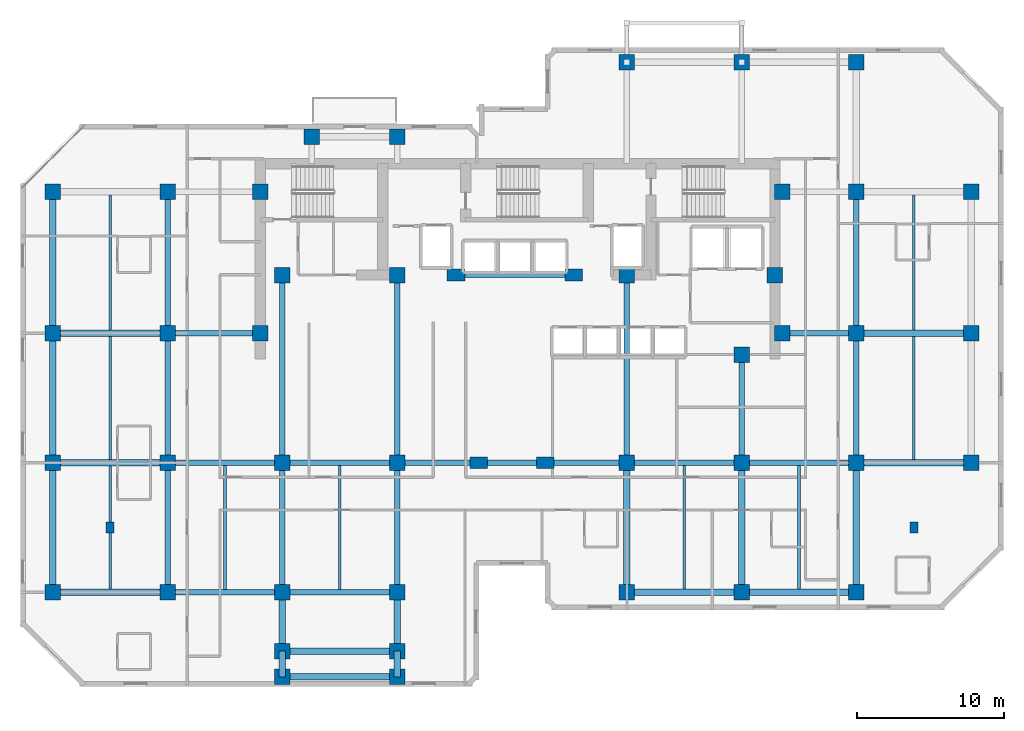
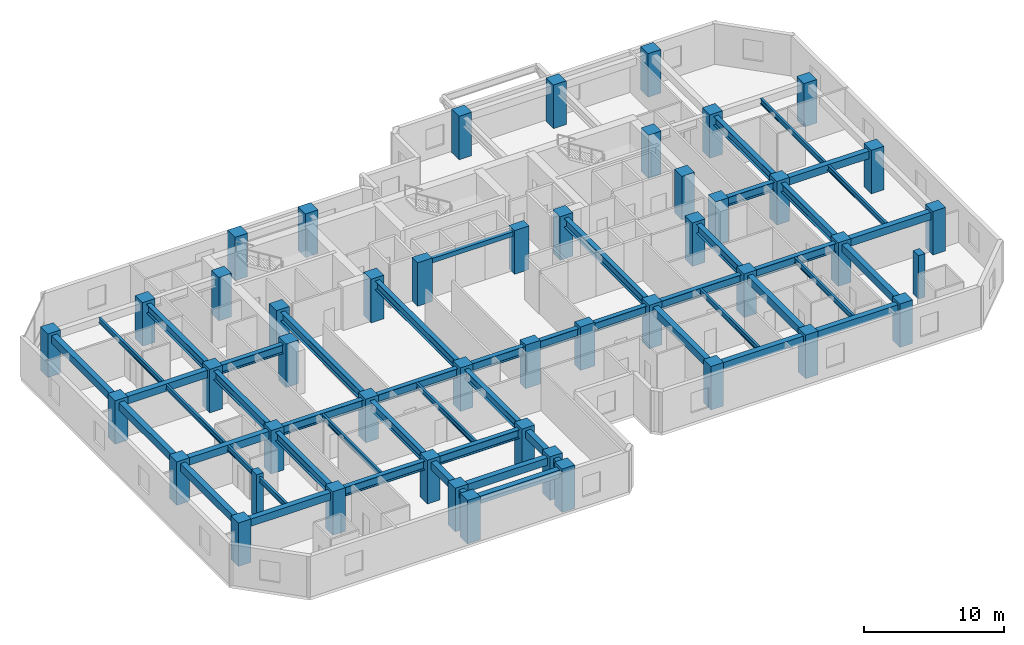
# One storey, part 1 of 9: 51 beams, 47 columns.
"""IFC4 building model written with IfcOpenShell, lengths in metres."""

from ifc_helpers import new_model, si_unit, direction, frame, origin, origin_2d, place, context, subcontext, project, spatial, rectangle, i_section, extrude, material, material_profile, profile_set, type_object, element, save


model = new_model("IFC4")

# Units and contexts
model_context = context("Model", 3, precision=1e-05, world=origin(), true_north=direction((0.0, 1.0)))
body_context = subcontext(model_context, "Body", "Model", "MODEL_VIEW")
ifc_project = project(units=[si_unit("LENGTHUNIT", "METRE"), si_unit("AREAUNIT", "SQUARE_METRE"), si_unit("VOLUMEUNIT", "CUBIC_METRE"), si_unit("PLANEANGLEUNIT", "RADIAN"), si_unit("MASSUNIT", "GRAM", prefix="KILO")], contexts=[model_context])

# Site, building, storey
site_placement = place(None, origin())
site = spatial("IfcSite", under=ifc_project, at=site_placement, CompositionType="ELEMENT")
building_placement = place(site_placement, origin())
building = spatial("IfcBuilding", under=site, at=building_placement, Name="Kestravale Grand Hotel", CompositionType="ELEMENT")
storey_placement = place(building_placement, frame((0.0, 0.0, 146.0)))
storey = spatial("IfcBuildingStorey", under=building, at=storey_placement, Name="L36", CompositionType="ELEMENT", Elevation=146.0)

# Columns
ifc_material_1 = material(Name="Concrete f'c 60 MPa", Category="concrete")
ifc_material_profile_1 = material_profile(ifc_material_1, rectangle(XDim=1.050048828125, YDim=1.050048828125, at=origin_2d()))
ifc_profile_set_1 = profile_set([ifc_material_profile_1], Name="Concrete f'c 60 MPa")
column_type_1 = type_object("IfcColumnType", Name="C-Z3-1050", PredefinedType="COLUMN", material=ifc_profile_set_1)
for number, where, z_axis, x_axis, name in (
    (1, (7.800048828125, 11.199951171875, 0.0), (0.0, 0.0, 1.0), (1.0, 0.0, 0.0), "L36 column 2-C"),
    (2, (7.800048828125, 20.0, 0.0), (0.0, 0.0, 1.0), (1.0, 0.0, 0.0), "L36 column 2-D"),
    (3, (7.800048828125, 28.800048828125, 0.0), (0.0, 0.0, 1.0), (1.0, 0.0, 0.0), "L36 column 2-E"),
    (4, (7.800048828125, 38.39990234375, 0.0), (0.0, 0.0, 1.0), (1.0, 0.0, 0.0), "L36 column 2-F"),
    (5, (15.60009765625, 11.199951171875, 0.0), (0.0, 0.0, 1.0), (1.0, 0.0, 0.0), "L36 column 3-C"),
    (6, (15.60009765625, 20.0, 0.0), (0.0, 0.0, 1.0), (1.0, 0.0, 0.0), "L36 column 3-D"),
    (7, (15.60009765625, 28.800048828125, 0.0), (0.0, 0.0, 1.0), (1.0, 0.0, 0.0), "L36 column 3-E"),
    (8, (15.60009765625, 38.39990234375, 0.0), (0.0, 0.0, 1.0), (1.0, 0.0, 0.0), "L36 column 3-F"),
    (9, (23.39990234375, 11.199951171875, 0.0), (0.0, 0.0, 1.0), (1.0, 0.0, 0.0), "L36 column 4-C"),
    (10, (23.39990234375, 20.0, 0.0), (0.0, 0.0, 1.0), (1.0, 0.0, 0.0), "L36 column 4-D"),
    (11, (31.199951171875, 11.199951171875, 0.0), (0.0, 0.0, 1.0), (1.0, 0.0, 0.0), "L36 column 5-C"),
    (12, (31.199951171875, 20.0, 0.0), (0.0, 0.0, 1.0), (1.0, 0.0, 0.0), "L36 column 5-D"),
    (13, (46.800048828125, 11.199951171875, 0.0), (0.0, 0.0, 1.0), (1.0, 0.0, 0.0), "L36 column 8-C"),
    (14, (46.800048828125, 20.0, 0.0), (0.0, 0.0, 1.0), (1.0, 0.0, 0.0), "L36 column 8-D"),
    (15, (46.800048828125, 47.199951171875, 0.0), (0.0, 0.0, 1.0), (1.0, 0.0, 0.0), "L36 column 8-G"),
    (16, (54.60009765625, 11.199951171875, 0.0), (0.0, 0.0, 1.0), (1.0, 0.0, 0.0), "L36 column 9-C"),
    (17, (54.60009765625, 20.0, 0.0), (0.0, 0.0, 1.0), (1.0, 0.0, 0.0), "L36 column 9-D"),
    (18, (54.60009765625, 47.199951171875, 0.0), (0.0, 0.0, 1.0), (1.0, 0.0, 0.0), "L36 column 9-G"),
    (19, (62.39990234375, 11.199951171875, 0.0), (0.0, 0.0, 1.0), (1.0, 0.0, 0.0), "L36 column 10-C"),
    (20, (62.39990234375, 20.0, 0.0), (0.0, 0.0, 1.0), (1.0, 0.0, 0.0), "L36 column 10-D"),
    (21, (62.39990234375, 28.800048828125, 0.0), (0.0, 0.0, 1.0), (1.0, 0.0, 0.0), "L36 column 10-E"),
    (22, (62.39990234375, 38.39990234375, 0.0), (0.0, 0.0, 1.0), (1.0, 0.0, 0.0), "L36 column 10-F"),
    (23, (62.39990234375, 47.199951171875, 0.0), (0.0, 0.0, 1.0), (1.0, 0.0, 0.0), "L36 column 10-G"),
    (24, (70.199951171875, 20.0, 0.0), (0.0, 0.0, 1.0), (1.0, 0.0, 0.0), "L36 column 11-D"),
    (25, (70.199951171875, 28.800048828125, 0.0), (0.0, 0.0, 1.0), (1.0, 0.0, 0.0), "L36 column 11-E"),
    (26, (70.199951171875, 38.39990234375, 0.0), (0.0, 0.0, 1.0), (1.0, 0.0, 0.0), "L36 column 11-F"),
    (27, (21.89990234375, 28.800048828125, 0.0), (0.0, 0.0, 1.0), (1.0, 0.0, 0.0), "L36 column CW-E"),
    (28, (21.89990234375, 38.39990234375, 0.0), (0.0, 0.0, 1.0), (1.0, 0.0, 0.0), "L36 column CW-F"),
    (29, (57.35009765625, 28.800048828125, 0.0), (0.0, 0.0, 1.0), (1.0, 0.0, 0.0), "L36 column CE-E"),
    (30, (57.35009765625, 38.39990234375, 0.0), (0.0, 0.0, 1.0), (1.0, 0.0, 0.0), "L36 column CE-F"),
    (31, (23.39990234375, 32.75, 0.0), (0.0, 0.0, 1.0), (1.0, 0.0, 0.0), "L36 column 4-CS"),
    (32, (31.199951171875, 32.75, 0.0), (0.0, 0.0, 1.0), (1.0, 0.0, 0.0), "L36 column 5-CS"),
    (33, (46.800048828125, 32.75, 0.0), (0.0, 0.0, 1.0), (1.0, 0.0, 0.0), "L36 column 8-CS"),
    (34, (54.60009765625, 27.35009765625, 0.0), (0.0, 0.0, 1.0), (1.0, 0.0, 0.0), "L36 column 9-CS"),
    (35, (56.85009765625, 32.75, 0.0), (0.0, 0.0, 1.0), (1.0, 0.0, 0.0), "L36 column 9C-CS"),
    (36, (23.39990234375, 7.199951171875, 0.0), (0.0, 0.0, 1.0), (1.0, 0.0, 0.0), "L36 column 4-BS"),
    (37, (31.199951171875, 7.199951171875, 0.0), (0.0, 0.0, 1.0), (1.0, 0.0, 0.0), "L36 column 5-BS"),
    (38, (25.39990234375, 42.14990234375, 0.0), (0.0, 0.0, 1.0), (1.0, 0.0, 0.0), "L36 column 4-FN"),
    (39, (31.199951171875, 42.14990234375, 0.0), (0.0, 0.0, 1.0), (1.0, 0.0, 0.0), "L36 column 5-FN"),
    (40, (23.39990234375, 5.449951171875, 0.0), (0.0, 0.0, 1.0), (1.0, 0.0, 0.0), "L36 column 4-B1S"),
    (41, (31.199951171875, 5.449951171875, 0.0), (0.0, 0.0, 1.0), (1.0, 0.0, 0.0), "L36 column 5-B1S"),
):
    element("IfcColumn", number, at=place(storey_placement, frame(where, z_axis=z_axis, x_axis=x_axis)), inside=storey, type_object=column_type_1, Name=name, PredefinedType="COLUMN", context=body_context, shape_type="SweptSolid", body=[
        extrude(rectangle(XDim=1.050048828125, YDim=1.050048828125, at=origin_2d()), origin(), (0.0, 0.0, 1.0), 3.800048828125),
    ])
ifc_material_2 = material(Name="Concrete f'c 60 MPa", Category="concrete")
ifc_material_profile_2 = material_profile(ifc_material_2, rectangle(XDim=1.199951171875, YDim=0.800048828125, at=origin_2d()))
ifc_profile_set_2 = profile_set([ifc_material_profile_2], Name="Concrete f'c 60 MPa")
column_type_2 = type_object("IfcColumnType", Name="C-Z3-1200X800", PredefinedType="COLUMN", material=ifc_profile_set_2)
for number, where, z_axis, x_axis, name in (
    (42, (36.75, 20.0, 0.0), (0.0, 0.0, 1.0), (1.0, 0.0, 0.0), "L36 column 6-D"),
    (43, (41.25, 20.0, 0.0), (0.0, 0.0, 1.0), (1.0, 0.0, 0.0), "L36 column 7-D"),
    (44, (35.199951171875, 32.75, 0.0), (0.0, 0.0, 1.0), (1.0, 0.0, 0.0), "L36 column 6C-CS"),
    (45, (43.199951171875, 32.75, 0.0), (0.0, 0.0, 1.0), (1.0, 0.0, 0.0), "L36 column 7C-CS"),
):
    element("IfcColumn", number, at=place(storey_placement, frame(where, z_axis=z_axis, x_axis=x_axis)), inside=storey, type_object=column_type_2, Name=name, PredefinedType="COLUMN", context=body_context, shape_type="SweptSolid", body=[
        extrude(rectangle(XDim=1.199951171875, YDim=0.800048828125, at=origin_2d()), origin(), (0.0, 0.0, 1.0), 3.800048828125),
    ])
ifc_material_3 = material(Name="Precast concrete f'c 45 MPa", Category="concrete")
ifc_material_profile_3 = material_profile(ifc_material_3, rectangle(XDim=0.550048828125, YDim=0.75, at=origin_2d()))
ifc_profile_set_3 = profile_set([ifc_material_profile_3], Name="Precast concrete f'c 45 MPa")
column_type_3 = type_object("IfcColumnType", Name="C-Z3-PIL750", PredefinedType="PILASTER", material=ifc_profile_set_3)
for number, where, z_axis, x_axis, name in (
    (46, (11.699951171875, 15.60009765625, 0.0), (0.0, 0.0, 1.0), (1.0, 0.0, 0.0), "L36 Art Deco fluted pilaster P1"),
    (47, (66.300048828125, 15.60009765625, 0.0), (0.0, 0.0, 1.0), (1.0, 0.0, 0.0), "L36 Art Deco fluted pilaster P2"),
):
    element("IfcColumn", number, at=place(storey_placement, frame(where, z_axis=z_axis, x_axis=x_axis)), inside=storey, type_object=column_type_3, Name=name, PredefinedType="PILASTER", context=body_context, shape_type="SweptSolid", body=[
        extrude(rectangle(XDim=0.550048828125, YDim=0.75, at=origin_2d()), origin(), (0.0, 0.0, 1.0), 3.800048828125),
    ])

# Beams
ifc_material_4 = material(Name="Steel ASTM A992 Grade 50", Category="steel")
ifc_material_profile_4 = material_profile(ifc_material_4, i_section(OverallWidth=0.19091796875, OverallDepth=0.45703125, WebThickness=0.009033203125, FlangeThickness=0.014404296875, FilletRadius=0.015380859375, at=origin_2d()))
ifc_profile_set_4 = profile_set([ifc_material_profile_4], Name="Steel ASTM A992 Grade 50")
beam_type_1 = type_object("IfcBeamType", Name="B-FLR-JST18", PredefinedType="JOIST", material=ifc_profile_set_4)
for number, where, z_axis, x_axis, name in (
    (48, (11.699951171875, 11.425048828125, 3.321533203125), (0.0, 1.0, 0.0), (-1.0, 0.0, 0.0), "L36 floor joist 2-3/C-D #1"),
    (49, (11.699951171875, 20.22509765625, 3.321533203125), (0.0, 1.0, 0.0), (-1.0, 0.0, 0.0), "L36 floor joist 2-3/D-E #1"),
):
    element("IfcBeam", number, at=place(storey_placement, frame(where, z_axis=z_axis, x_axis=x_axis)), inside=storey, type_object=beam_type_1, Name=name, PredefinedType="JOIST", context=body_context, shape_type="SweptSolid", body=[
        extrude(i_section(OverallWidth=0.19091796875, OverallDepth=0.45703125, WebThickness=0.009033203125, FlangeThickness=0.014404296875, FilletRadius=0.015380859375, at=origin_2d()), origin(), (0.0, 0.0, 1.0), 8.349853515625),
    ])
beam_1_placement = place(storey_placement, frame((11.699951171875, 29.02490234375, 3.321533203125), z_axis=(0.0, 1.0, 0.0), x_axis=(-1.0, 0.0, 0.0)))
element("IfcBeam", 50, at=beam_1_placement, inside=storey, type_object=beam_type_1, Name="L36 floor joist 2-3/E-F #1", PredefinedType="JOIST", context=body_context, shape_type="SweptSolid", body=[
    extrude(i_section(OverallWidth=0.19091796875, OverallDepth=0.45703125, WebThickness=0.009033203125, FlangeThickness=0.014404296875, FilletRadius=0.015380859375, at=origin_2d()), origin(), (0.0, 0.0, 1.0), 9.150146484375),
])
for number, where, z_axis, x_axis, name in (
    (51, (19.5, 11.390380859375, 3.321533203125), (0.0, 1.0, 0.0), (-1.0, 0.0, 0.0), "L36 floor joist 3-4/C-D #1"),
    (52, (27.300048828125, 11.390380859375, 3.321533203125), (0.0, 1.0, 0.0), (-1.0, 0.0, 0.0), "L36 floor joist 4-5/C-D #1"),
):
    element("IfcBeam", number, at=place(storey_placement, frame(where, z_axis=z_axis, x_axis=x_axis)), inside=storey, type_object=beam_type_1, Name=name, PredefinedType="JOIST", context=body_context, shape_type="SweptSolid", body=[
        extrude(i_section(OverallWidth=0.19091796875, OverallDepth=0.45703125, WebThickness=0.009033203125, FlangeThickness=0.014404296875, FilletRadius=0.015380859375, at=origin_2d()), origin(), (0.0, 0.0, 1.0), 8.419189453125),
    ])
for number, where, z_axis, x_axis, name in (
    (53, (50.699951171875, 11.425048828125, 3.321533203125), (0.0, 1.0, 0.0), (-1.0, 0.0, 0.0), "L36 floor joist 8-9/C-D #1"),
    (54, (58.5, 11.425048828125, 3.321533203125), (0.0, 1.0, 0.0), (-1.0, 0.0, 0.0), "L36 floor joist 9-10/C-D #1"),
):
    element("IfcBeam", number, at=place(storey_placement, frame(where, z_axis=z_axis, x_axis=x_axis)), inside=storey, type_object=beam_type_1, Name=name, PredefinedType="JOIST", context=body_context, shape_type="SweptSolid", body=[
        extrude(i_section(OverallWidth=0.19091796875, OverallDepth=0.45703125, WebThickness=0.009033203125, FlangeThickness=0.014404296875, FilletRadius=0.015380859375, at=origin_2d()), origin(), (0.0, 0.0, 1.0), 8.384521484375),
    ])
beam_2_placement = place(storey_placement, frame((66.300048828125, 20.22509765625, 3.321533203125), z_axis=(0.0, 1.0, 0.0), x_axis=(-1.0, 0.0, 0.0)))
element("IfcBeam", 55, at=beam_2_placement, inside=storey, type_object=beam_type_1, Name="L36 floor joist 10-11/D-E #1", PredefinedType="JOIST", context=body_context, shape_type="SweptSolid", body=[
    extrude(i_section(OverallWidth=0.19091796875, OverallDepth=0.45703125, WebThickness=0.009033203125, FlangeThickness=0.014404296875, FilletRadius=0.015380859375, at=origin_2d()), origin(), (0.0, 0.0, 1.0), 8.349853515625),
])
beam_3_placement = place(storey_placement, frame((66.300048828125, 29.02490234375, 3.321533203125), z_axis=(0.0, 1.0, 0.0), x_axis=(-1.0, 0.0, 0.0)))
element("IfcBeam", 56, at=beam_3_placement, inside=storey, type_object=beam_type_1, Name="L36 floor joist 10-11/E-F #1", PredefinedType="JOIST", context=body_context, shape_type="SweptSolid", body=[
    extrude(i_section(OverallWidth=0.19091796875, OverallDepth=0.45703125, WebThickness=0.009033203125, FlangeThickness=0.014404296875, FilletRadius=0.015380859375, at=origin_2d()), origin(), (0.0, 0.0, 1.0), 9.150146484375),
])
ifc_material_5 = material(Name="Concrete f'c 45 MPa", Category="concrete")
ifc_material_profile_5 = material_profile(ifc_material_5, rectangle(XDim=0.300048828125, YDim=0.39990234375, at=origin_2d()))
ifc_profile_set_5 = profile_set([ifc_material_profile_5], Name="Concrete f'c 45 MPa")
beam_type_2 = type_object("IfcBeamType", Name="B-FLR-LNT400", PredefinedType="LINTEL", material=ifc_profile_set_5)
beam_4_placement = place(storey_placement, frame((35.199951171875, 32.75, 3.35009765625), z_axis=(1.0, 0.0, 0.0), x_axis=(0.0, 1.0, 0.0)))
element("IfcBeam", 57, at=beam_4_placement, inside=storey, type_object=beam_type_2, Name="L36 core portal header lintel", PredefinedType="LINTEL", context=body_context, shape_type="SweptSolid", body=[
    extrude(rectangle(XDim=0.300048828125, YDim=0.39990234375, at=origin_2d()), origin(), (0.0, 0.0, 1.0), 8.0),
])
ifc_material_6 = material(Name="Concrete f'c 45 MPa", Category="concrete")
ifc_material_profile_6 = material_profile(ifc_material_6, rectangle(XDim=0.449951171875, YDim=0.64990234375, at=origin_2d()))
ifc_profile_set_6 = profile_set([ifc_material_profile_6], Name="Concrete f'c 45 MPa")
beam_type_3 = type_object("IfcBeamType", Name="B-FLR-RC650", PredefinedType="SPANDREL", material=ifc_profile_set_6)
for number, where, z_axis, x_axis, name in (
    (58, (7.800048828125, 11.199951171875, 3.22509765625), (1.0, 0.0, 0.0), (0.0, 1.0, 0.0), "L36 spandrel C:2-3"),
    (59, (46.800048828125, 11.199951171875, 3.22509765625), (1.0, 0.0, 0.0), (0.0, 1.0, 0.0), "L36 spandrel C:8-9"),
):
    element("IfcBeam", number, at=place(storey_placement, frame(where, z_axis=z_axis, x_axis=x_axis)), inside=storey, type_object=beam_type_3, Name=name, PredefinedType="SPANDREL", context=body_context, shape_type="SweptSolid", body=[
        extrude(rectangle(XDim=0.449951171875, YDim=0.64990234375, at=origin_2d()), origin(), (0.0, 0.0, 1.0), 7.800048828125),
    ])
beam_5_placement = place(storey_placement, frame((54.60009765625, 11.199951171875, 3.22509765625), z_axis=(1.0, 0.0, 0.0), x_axis=(0.0, 1.0, 0.0)))
element("IfcBeam", 60, at=beam_5_placement, inside=storey, type_object=beam_type_3, Name="L36 spandrel C:9-10", PredefinedType="SPANDREL", context=body_context, shape_type="SweptSolid", body=[
    extrude(rectangle(XDim=0.449951171875, YDim=0.64990234375, at=origin_2d()), origin(), (0.0, 0.0, 1.0), 7.7998046875),
])
for number, where, z_axis, x_axis, name in (
    (61, (7.800048828125, 20.0, 3.22509765625), (1.0, 0.0, 0.0), (0.0, 1.0, 0.0), "L36 spandrel D:2-3"),
    (62, (62.39990234375, 20.0, 3.22509765625), (1.0, 0.0, 0.0), (0.0, 1.0, 0.0), "L36 spandrel D:10-11"),
    (63, (7.800048828125, 28.800048828125, 3.22509765625), (1.0, 0.0, 0.0), (0.0, 1.0, 0.0), "L36 spandrel E:2-3"),
    (64, (62.39990234375, 28.800048828125, 3.22509765625), (1.0, 0.0, 0.0), (0.0, 1.0, 0.0), "L36 spandrel E:10-11"),
    (65, (23.39990234375, 5.449951171875, 3.22509765625), (1.0, 0.0, 0.0), (0.0, 1.0, 0.0), "L36 perimeter tie spandrel B1S:4-5"),
    (66, (23.39990234375, 7.199951171875, 3.22509765625), (1.0, 0.0, 0.0), (0.0, 1.0, 0.0), "L36 perimeter tie spandrel BS:4-5"),
):
    element("IfcBeam", number, at=place(storey_placement, frame(where, z_axis=z_axis, x_axis=x_axis)), inside=storey, type_object=beam_type_3, Name=name, PredefinedType="SPANDREL", context=body_context, shape_type="SweptSolid", body=[
        extrude(rectangle(XDim=0.449951171875, YDim=0.64990234375, at=origin_2d()), origin(), (0.0, 0.0, 1.0), 7.800048828125),
    ])
for number, where, z_axis, x_axis, name in (
    (67, (7.800048828125, 11.199951171875, 3.22509765625), (0.0, 1.0, 0.0), (-1.0, 0.0, 0.0), "L36 spandrel 2:C-D"),
    (68, (7.800048828125, 20.0, 3.22509765625), (0.0, 1.0, 0.0), (-1.0, 0.0, 0.0), "L36 spandrel 2:D-E"),
):
    element("IfcBeam", number, at=place(storey_placement, frame(where, z_axis=z_axis, x_axis=x_axis)), inside=storey, type_object=beam_type_3, Name=name, PredefinedType="SPANDREL", context=body_context, shape_type="SweptSolid", body=[
        extrude(rectangle(XDim=0.449951171875, YDim=0.64990234375, at=origin_2d()), origin(), (0.0, 0.0, 1.0), 8.800048828125),
    ])
beam_6_placement = place(storey_placement, frame((7.800048828125, 28.800048828125, 3.22509765625), z_axis=(0.0, 1.0, 0.0), x_axis=(-1.0, 0.0, 0.0)))
element("IfcBeam", 69, at=beam_6_placement, inside=storey, type_object=beam_type_3, Name="L36 spandrel 2:E-F", PredefinedType="SPANDREL", context=body_context, shape_type="SweptSolid", body=[
    extrude(rectangle(XDim=0.449951171875, YDim=0.64990234375, at=origin_2d()), origin(), (0.0, 0.0, 1.0), 9.599853515625),
])
beam_7_placement = place(storey_placement, frame((23.39990234375, 5.449951171875, 3.22509765625), z_axis=(0.0, 1.0, 0.0), x_axis=(-1.0, 0.0, 0.0)))
element("IfcBeam", 70, at=beam_7_placement, inside=storey, type_object=beam_type_3, Name="L36 spandrel 4:B1S-BS", PredefinedType="SPANDREL", context=body_context, shape_type="SweptSolid", body=[
    extrude(rectangle(XDim=0.449951171875, YDim=0.64990234375, at=origin_2d()), origin(), (0.0, 0.0, 1.0), 1.75),
])
beam_8_placement = place(storey_placement, frame((23.39990234375, 7.199951171875, 3.22509765625), z_axis=(0.0, 1.0, 0.0), x_axis=(-1.0, 0.0, 0.0)))
element("IfcBeam", 71, at=beam_8_placement, inside=storey, type_object=beam_type_3, Name="L36 spandrel 4:BS-C", PredefinedType="SPANDREL", context=body_context, shape_type="SweptSolid", body=[
    extrude(rectangle(XDim=0.449951171875, YDim=0.64990234375, at=origin_2d()), origin(), (0.0, 0.0, 1.0), 4.0),
])
beam_9_placement = place(storey_placement, frame((31.199951171875, 5.449951171875, 3.22509765625), z_axis=(0.0, 1.0, 0.0), x_axis=(-1.0, 0.0, 0.0)))
element("IfcBeam", 72, at=beam_9_placement, inside=storey, type_object=beam_type_3, Name="L36 spandrel 5:B1S-BS", PredefinedType="SPANDREL", context=body_context, shape_type="SweptSolid", body=[
    extrude(rectangle(XDim=0.449951171875, YDim=0.64990234375, at=origin_2d()), origin(), (0.0, 0.0, 1.0), 1.75),
])
beam_10_placement = place(storey_placement, frame((31.199951171875, 7.199951171875, 3.22509765625), z_axis=(0.0, 1.0, 0.0), x_axis=(-1.0, 0.0, 0.0)))
element("IfcBeam", 73, at=beam_10_placement, inside=storey, type_object=beam_type_3, Name="L36 spandrel 5:BS-C", PredefinedType="SPANDREL", context=body_context, shape_type="SweptSolid", body=[
    extrude(rectangle(XDim=0.449951171875, YDim=0.64990234375, at=origin_2d()), origin(), (0.0, 0.0, 1.0), 4.0),
])
for number, where, z_axis, x_axis, name in (
    (74, (46.800048828125, 11.199951171875, 3.22509765625), (0.0, 1.0, 0.0), (-1.0, 0.0, 0.0), "L36 spandrel 8:C-D"),
    (75, (54.60009765625, 11.199951171875, 3.22509765625), (0.0, 1.0, 0.0), (-1.0, 0.0, 0.0), "L36 spandrel 9:C-D"),
    (76, (62.39990234375, 11.199951171875, 3.22509765625), (0.0, 1.0, 0.0), (-1.0, 0.0, 0.0), "L36 spandrel 10:C-D"),
):
    element("IfcBeam", number, at=place(storey_placement, frame(where, z_axis=z_axis, x_axis=x_axis)), inside=storey, type_object=beam_type_3, Name=name, PredefinedType="SPANDREL", context=body_context, shape_type="SweptSolid", body=[
        extrude(rectangle(XDim=0.449951171875, YDim=0.64990234375, at=origin_2d()), origin(), (0.0, 0.0, 1.0), 8.800048828125),
    ])
ifc_material_7 = material(Name="Steel ASTM A992 Grade 50", Category="steel")
ifc_material_profile_7 = material_profile(ifc_material_7, i_section(OverallWidth=0.381103515625, OverallDepth=0.77197265625, WebThickness=0.0166015625, FlangeThickness=0.027099609375, FilletRadius=0.023681640625, at=origin_2d()))
ifc_profile_set_7 = profile_set([ifc_material_profile_7], Name="Steel ASTM A992 Grade 50")
beam_type_4 = type_object("IfcBeamType", Name="B-GRD-W30", PredefinedType="BEAM", material=ifc_profile_set_7)
beam_11_placement = place(storey_placement, frame((15.60009765625, 11.199951171875, 3.1640625), z_axis=(1.0, 0.0, 0.0), x_axis=(0.0, 1.0, 0.0)))
element("IfcBeam", 77, at=beam_11_placement, inside=storey, type_object=beam_type_4, Name="L36 girder C:3-4", PredefinedType="BEAM", context=body_context, shape_type="SweptSolid", body=[
    extrude(i_section(OverallWidth=0.381103515625, OverallDepth=0.77197265625, WebThickness=0.0166015625, FlangeThickness=0.027099609375, FilletRadius=0.023681640625, at=origin_2d()), origin(), (0.0, 0.0, 1.0), 7.7998046875),
])
beam_12_placement = place(storey_placement, frame((23.39990234375, 11.199951171875, 3.1640625), z_axis=(1.0, 0.0, 0.0), x_axis=(0.0, 1.0, 0.0)))
element("IfcBeam", 78, at=beam_12_placement, inside=storey, type_object=beam_type_4, Name="L36 girder C:4-5", PredefinedType="BEAM", context=body_context, shape_type="SweptSolid", body=[
    extrude(i_section(OverallWidth=0.381103515625, OverallDepth=0.77197265625, WebThickness=0.0166015625, FlangeThickness=0.027099609375, FilletRadius=0.023681640625, at=origin_2d()), origin(), (0.0, 0.0, 1.0), 7.800048828125),
])
beam_13_placement = place(storey_placement, frame((15.60009765625, 20.0, 3.1640625), z_axis=(1.0, 0.0, 0.0), x_axis=(0.0, 1.0, 0.0)))
element("IfcBeam", 79, at=beam_13_placement, inside=storey, type_object=beam_type_4, Name="L36 girder D:3-4", PredefinedType="BEAM", context=body_context, shape_type="SweptSolid", body=[
    extrude(i_section(OverallWidth=0.381103515625, OverallDepth=0.77197265625, WebThickness=0.0166015625, FlangeThickness=0.027099609375, FilletRadius=0.023681640625, at=origin_2d()), origin(), (0.0, 0.0, 1.0), 7.7998046875),
])
beam_14_placement = place(storey_placement, frame((23.39990234375, 20.0, 3.1640625), z_axis=(1.0, 0.0, 0.0), x_axis=(0.0, 1.0, 0.0)))
element("IfcBeam", 80, at=beam_14_placement, inside=storey, type_object=beam_type_4, Name="L36 girder D:4-5", PredefinedType="BEAM", context=body_context, shape_type="SweptSolid", body=[
    extrude(i_section(OverallWidth=0.381103515625, OverallDepth=0.77197265625, WebThickness=0.0166015625, FlangeThickness=0.027099609375, FilletRadius=0.023681640625, at=origin_2d()), origin(), (0.0, 0.0, 1.0), 7.800048828125),
])
beam_15_placement = place(storey_placement, frame((31.199951171875, 20.0, 3.1640625), z_axis=(1.0, 0.0, 0.0), x_axis=(0.0, 1.0, 0.0)))
element("IfcBeam", 81, at=beam_15_placement, inside=storey, type_object=beam_type_4, Name="L36 girder D:5-6", PredefinedType="BEAM", context=body_context, shape_type="SweptSolid", body=[
    extrude(i_section(OverallWidth=0.381103515625, OverallDepth=0.77197265625, WebThickness=0.0166015625, FlangeThickness=0.027099609375, FilletRadius=0.023681640625, at=origin_2d()), origin(), (0.0, 0.0, 1.0), 5.550048828125),
])
beam_16_placement = place(storey_placement, frame((36.75, 20.0, 3.1640625), z_axis=(1.0, 0.0, 0.0), x_axis=(0.0, 1.0, 0.0)))
element("IfcBeam", 82, at=beam_16_placement, inside=storey, type_object=beam_type_4, Name="L36 girder D:6-7", PredefinedType="BEAM", context=body_context, shape_type="SweptSolid", body=[
    extrude(i_section(OverallWidth=0.381103515625, OverallDepth=0.77197265625, WebThickness=0.0166015625, FlangeThickness=0.027099609375, FilletRadius=0.023681640625, at=origin_2d()), origin(), (0.0, 0.0, 1.0), 4.5),
])
beam_17_placement = place(storey_placement, frame((41.25, 20.0, 3.1640625), z_axis=(1.0, 0.0, 0.0), x_axis=(0.0, 1.0, 0.0)))
element("IfcBeam", 83, at=beam_17_placement, inside=storey, type_object=beam_type_4, Name="L36 girder D:7-8", PredefinedType="BEAM", context=body_context, shape_type="SweptSolid", body=[
    extrude(i_section(OverallWidth=0.381103515625, OverallDepth=0.77197265625, WebThickness=0.0166015625, FlangeThickness=0.027099609375, FilletRadius=0.023681640625, at=origin_2d()), origin(), (0.0, 0.0, 1.0), 5.550048828125),
])
beam_18_placement = place(storey_placement, frame((46.800048828125, 20.0, 3.1640625), z_axis=(1.0, 0.0, 0.0), x_axis=(0.0, 1.0, 0.0)))
element("IfcBeam", 84, at=beam_18_placement, inside=storey, type_object=beam_type_4, Name="L36 girder D:8-9", PredefinedType="BEAM", context=body_context, shape_type="SweptSolid", body=[
    extrude(i_section(OverallWidth=0.381103515625, OverallDepth=0.77197265625, WebThickness=0.0166015625, FlangeThickness=0.027099609375, FilletRadius=0.023681640625, at=origin_2d()), origin(), (0.0, 0.0, 1.0), 7.800048828125),
])
beam_19_placement = place(storey_placement, frame((54.60009765625, 20.0, 3.1640625), z_axis=(1.0, 0.0, 0.0), x_axis=(0.0, 1.0, 0.0)))
element("IfcBeam", 85, at=beam_19_placement, inside=storey, type_object=beam_type_4, Name="L36 girder D:9-10", PredefinedType="BEAM", context=body_context, shape_type="SweptSolid", body=[
    extrude(i_section(OverallWidth=0.381103515625, OverallDepth=0.77197265625, WebThickness=0.0166015625, FlangeThickness=0.027099609375, FilletRadius=0.023681640625, at=origin_2d()), origin(), (0.0, 0.0, 1.0), 7.7998046875),
])
beam_20_placement = place(storey_placement, frame((15.60009765625, 28.800048828125, 3.1640625), z_axis=(1.0, 0.0, 0.0), x_axis=(0.0, 1.0, 0.0)))
element("IfcBeam", 86, at=beam_20_placement, inside=storey, type_object=beam_type_4, Name="L36 girder E:3-CW", PredefinedType="BEAM", context=body_context, shape_type="SweptSolid", body=[
    extrude(i_section(OverallWidth=0.381103515625, OverallDepth=0.77197265625, WebThickness=0.0166015625, FlangeThickness=0.027099609375, FilletRadius=0.023681640625, at=origin_2d()), origin(), (0.0, 0.0, 1.0), 6.2998046875),
])
beam_21_placement = place(storey_placement, frame((57.35009765625, 28.800048828125, 3.1640625), z_axis=(1.0, 0.0, 0.0), x_axis=(0.0, 1.0, 0.0)))
element("IfcBeam", 87, at=beam_21_placement, inside=storey, type_object=beam_type_4, Name="L36 girder E:CE-10", PredefinedType="BEAM", context=body_context, shape_type="SweptSolid", body=[
    extrude(i_section(OverallWidth=0.381103515625, OverallDepth=0.77197265625, WebThickness=0.0166015625, FlangeThickness=0.027099609375, FilletRadius=0.023681640625, at=origin_2d()), origin(), (0.0, 0.0, 1.0), 5.0498046875),
])
for number, where, z_axis, x_axis, name in (
    (88, (15.60009765625, 11.199951171875, 3.1640625), (0.0, 1.0, 0.0), (-1.0, 0.0, 0.0), "L36 girder 3:C-D"),
    (89, (15.60009765625, 20.0, 3.1640625), (0.0, 1.0, 0.0), (-1.0, 0.0, 0.0), "L36 girder 3:D-E"),
):
    element("IfcBeam", number, at=place(storey_placement, frame(where, z_axis=z_axis, x_axis=x_axis)), inside=storey, type_object=beam_type_4, Name=name, PredefinedType="BEAM", context=body_context, shape_type="SweptSolid", body=[
        extrude(i_section(OverallWidth=0.381103515625, OverallDepth=0.77197265625, WebThickness=0.0166015625, FlangeThickness=0.027099609375, FilletRadius=0.023681640625, at=origin_2d()), origin(), (0.0, 0.0, 1.0), 8.800048828125),
    ])
beam_22_placement = place(storey_placement, frame((15.60009765625, 28.800048828125, 3.1640625), z_axis=(0.0, 1.0, 0.0), x_axis=(-1.0, 0.0, 0.0)))
element("IfcBeam", 90, at=beam_22_placement, inside=storey, type_object=beam_type_4, Name="L36 girder 3:E-F", PredefinedType="BEAM", context=body_context, shape_type="SweptSolid", body=[
    extrude(i_section(OverallWidth=0.381103515625, OverallDepth=0.77197265625, WebThickness=0.0166015625, FlangeThickness=0.027099609375, FilletRadius=0.023681640625, at=origin_2d()), origin(), (0.0, 0.0, 1.0), 9.599853515625),
])
beam_23_placement = place(storey_placement, frame((23.39990234375, 11.199951171875, 3.1640625), z_axis=(0.0, 1.0, 0.0), x_axis=(-1.0, 0.0, 0.0)))
element("IfcBeam", 91, at=beam_23_placement, inside=storey, type_object=beam_type_4, Name="L36 girder 4:C-D", PredefinedType="BEAM", context=body_context, shape_type="SweptSolid", body=[
    extrude(i_section(OverallWidth=0.381103515625, OverallDepth=0.77197265625, WebThickness=0.0166015625, FlangeThickness=0.027099609375, FilletRadius=0.023681640625, at=origin_2d()), origin(), (0.0, 0.0, 1.0), 8.800048828125),
])
beam_24_placement = place(storey_placement, frame((23.39990234375, 20.0, 3.1640625), z_axis=(0.0, 1.0, 0.0), x_axis=(-1.0, 0.0, 0.0)))
element("IfcBeam", 92, at=beam_24_placement, inside=storey, type_object=beam_type_4, Name="L36 girder 4:D-CS", PredefinedType="BEAM", context=body_context, shape_type="SweptSolid", body=[
    extrude(i_section(OverallWidth=0.381103515625, OverallDepth=0.77197265625, WebThickness=0.0166015625, FlangeThickness=0.027099609375, FilletRadius=0.023681640625, at=origin_2d()), origin(), (0.0, 0.0, 1.0), 12.75),
])
beam_25_placement = place(storey_placement, frame((31.199951171875, 11.199951171875, 3.1640625), z_axis=(0.0, 1.0, 0.0), x_axis=(-1.0, 0.0, 0.0)))
element("IfcBeam", 93, at=beam_25_placement, inside=storey, type_object=beam_type_4, Name="L36 girder 5:C-D", PredefinedType="BEAM", context=body_context, shape_type="SweptSolid", body=[
    extrude(i_section(OverallWidth=0.381103515625, OverallDepth=0.77197265625, WebThickness=0.0166015625, FlangeThickness=0.027099609375, FilletRadius=0.023681640625, at=origin_2d()), origin(), (0.0, 0.0, 1.0), 8.800048828125),
])
for number, where, z_axis, x_axis, name in (
    (94, (31.199951171875, 20.0, 3.1640625), (0.0, 1.0, 0.0), (-1.0, 0.0, 0.0), "L36 girder 5:D-CS"),
    (95, (46.800048828125, 20.0, 3.1640625), (0.0, 1.0, 0.0), (-1.0, 0.0, 0.0), "L36 girder 8:D-CS"),
):
    element("IfcBeam", number, at=place(storey_placement, frame(where, z_axis=z_axis, x_axis=x_axis)), inside=storey, type_object=beam_type_4, Name=name, PredefinedType="BEAM", context=body_context, shape_type="SweptSolid", body=[
        extrude(i_section(OverallWidth=0.381103515625, OverallDepth=0.77197265625, WebThickness=0.0166015625, FlangeThickness=0.027099609375, FilletRadius=0.023681640625, at=origin_2d()), origin(), (0.0, 0.0, 1.0), 12.75),
    ])
beam_26_placement = place(storey_placement, frame((54.60009765625, 20.0, 3.1640625), z_axis=(0.0, 1.0, 0.0), x_axis=(-1.0, 0.0, 0.0)))
element("IfcBeam", 96, at=beam_26_placement, inside=storey, type_object=beam_type_4, Name="L36 girder 9:D-CS", PredefinedType="BEAM", context=body_context, shape_type="SweptSolid", body=[
    extrude(i_section(OverallWidth=0.381103515625, OverallDepth=0.77197265625, WebThickness=0.0166015625, FlangeThickness=0.027099609375, FilletRadius=0.023681640625, at=origin_2d()), origin(), (0.0, 0.0, 1.0), 7.35009765625),
])
beam_27_placement = place(storey_placement, frame((62.39990234375, 20.0, 3.1640625), z_axis=(0.0, 1.0, 0.0), x_axis=(-1.0, 0.0, 0.0)))
element("IfcBeam", 97, at=beam_27_placement, inside=storey, type_object=beam_type_4, Name="L36 girder 10:D-E", PredefinedType="BEAM", context=body_context, shape_type="SweptSolid", body=[
    extrude(i_section(OverallWidth=0.381103515625, OverallDepth=0.77197265625, WebThickness=0.0166015625, FlangeThickness=0.027099609375, FilletRadius=0.023681640625, at=origin_2d()), origin(), (0.0, 0.0, 1.0), 8.800048828125),
])
beam_28_placement = place(storey_placement, frame((62.39990234375, 28.800048828125, 3.1640625), z_axis=(0.0, 1.0, 0.0), x_axis=(-1.0, 0.0, 0.0)))
element("IfcBeam", 98, at=beam_28_placement, inside=storey, type_object=beam_type_4, Name="L36 girder 10:E-F", PredefinedType="BEAM", context=body_context, shape_type="SweptSolid", body=[
    extrude(i_section(OverallWidth=0.381103515625, OverallDepth=0.77197265625, WebThickness=0.0166015625, FlangeThickness=0.027099609375, FilletRadius=0.023681640625, at=origin_2d()), origin(), (0.0, 0.0, 1.0), 9.599853515625),
])

save(model, "model.ifc")
